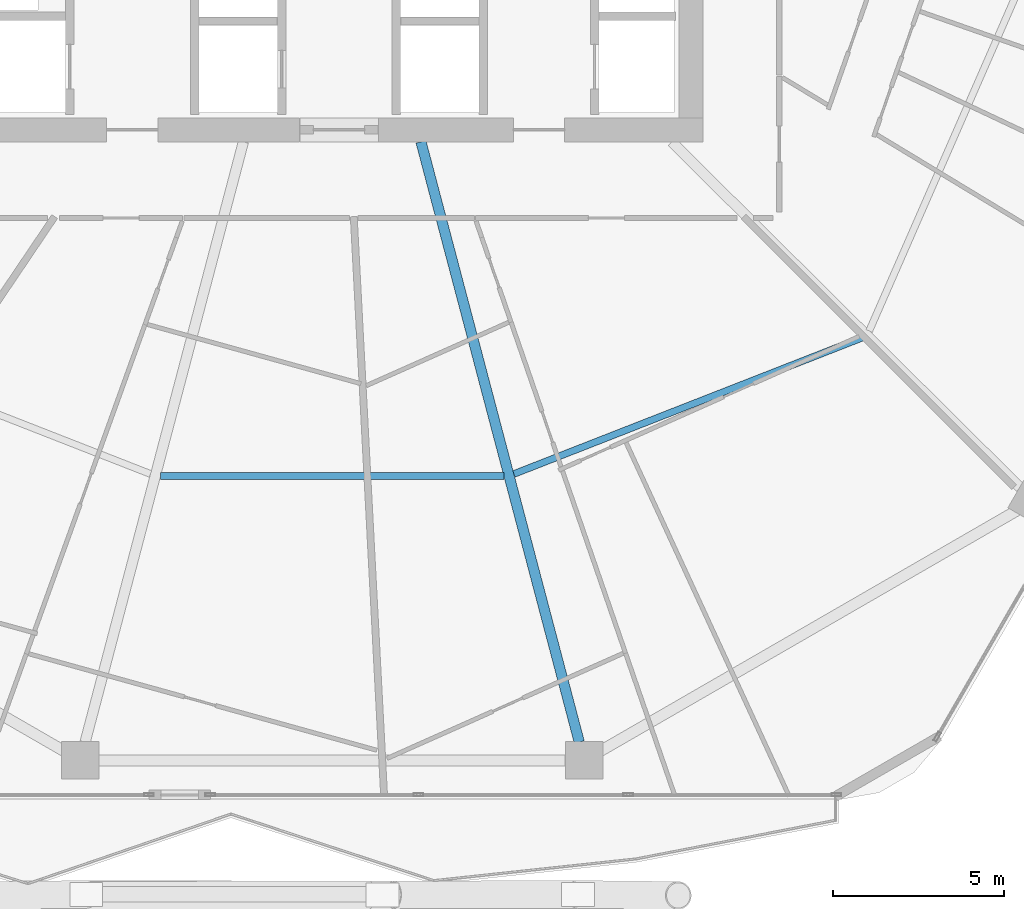
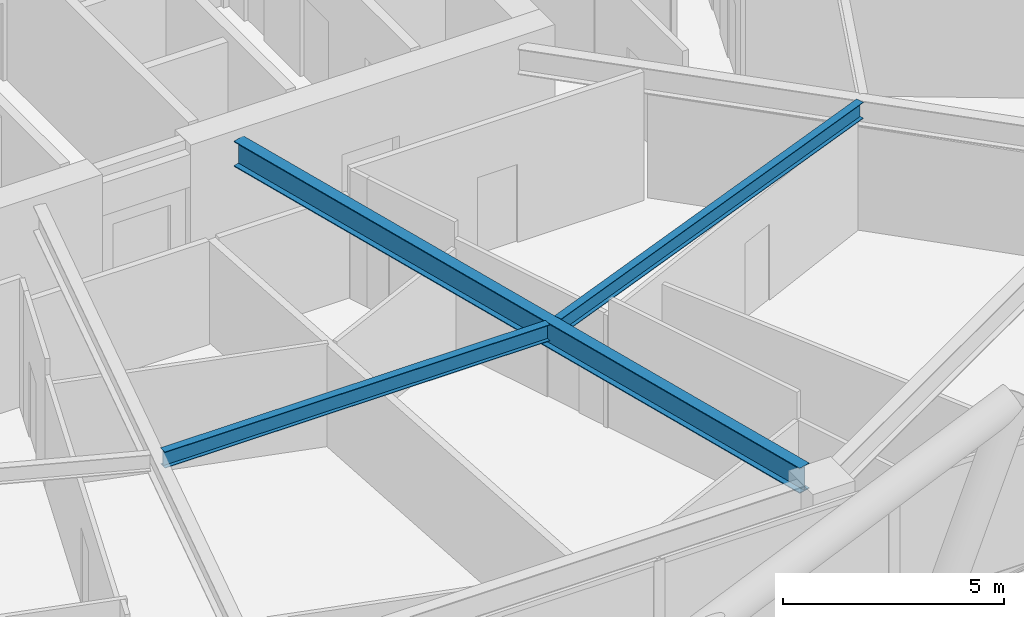
# One storey, part 8 of 35: 3 beams.
"""IFC4 building model written with IfcOpenShell, lengths in metres."""

from ifc_helpers import new_model, si_unit, direction, frame, origin, origin_2d, place, context, subcontext, project, spatial, i_section, extrude, material, material_profile, profile_set, type_object, element, save


model = new_model("IFC4")

# Units and contexts
model_context = context("Model", 3, precision=1e-05, world=origin(), true_north=direction((0.0, 1.0)))
body_context = subcontext(model_context, "Body", "Model", "MODEL_VIEW")
ifc_project = project(units=[si_unit("LENGTHUNIT", "METRE"), si_unit("AREAUNIT", "SQUARE_METRE"), si_unit("VOLUMEUNIT", "CUBIC_METRE"), si_unit("PLANEANGLEUNIT", "RADIAN"), si_unit("MASSUNIT", "GRAM", prefix="KILO")], contexts=[model_context])

# Site, building, storey
site_placement = place(None, origin())
site = spatial("IfcSite", under=ifc_project, at=site_placement, CompositionType="ELEMENT")
building_placement = place(site_placement, origin())
building = spatial("IfcBuilding", under=site, at=building_placement, Name="Zuhravey Tower", CompositionType="ELEMENT")
storey_placement = place(building_placement, frame((0.0, 0.0, 115.199951171875)))
storey = spatial("IfcBuildingStorey", under=building, at=storey_placement, Name="L28", CompositionType="ELEMENT", Elevation=115.199951171875)

# Beams
ifc_material = material(Name="Steel SM355", Category="steel")
ifc_material_profile_1 = material_profile(ifc_material, i_section(OverallWidth=0.300048828125, OverallDepth=0.699951171875, WebThickness=0.012939453125, FlangeThickness=0.02392578125, at=origin_2d()), Name="H-700x300x13x24")
ifc_profile_set_1 = profile_set([ifc_material_profile_1], Name="Steel SM355")
beam_type_1 = type_object("IfcBeamType", Name="Radial Primary Girder H700x300", PredefinedType="BEAM", material=ifc_profile_set_1)
beam_1_placement = place(storey_placement, frame((38.59814453125, 22.14697265625, 3.199951171875), z_axis=(0.25498755891, -0.966944333869, 0.0), x_axis=(0.966944333869, 0.25498755891, 0.0)))
element("IfcBeam", 1, at=beam_1_placement, inside=storey, type_object=beam_type_1, Name="L28 RG1 BM-L28-RAD-10", PredefinedType="BEAM", context=body_context, shape_type="SweptSolid", body=[
    extrude(i_section(OverallWidth=0.300048828125, OverallDepth=0.699951171875, WebThickness=0.012939453125, FlangeThickness=0.02392578125, at=origin_2d()), origin(), (0.0, 0.0, 1.0), 18.1611328125),
])
ifc_material_profile_2 = material_profile(ifc_material, i_section(OverallWidth=0.199951171875, OverallDepth=0.449951171875, WebThickness=0.009033203125, FlangeThickness=0.013916015625, at=origin_2d()), Name="H-450x200x9x14")
ifc_profile_set_2 = profile_set([ifc_material_profile_2], Name="Steel SM355")
beam_type_2 = type_object("IfcBeamType", Name="Secondary Floor Joist H450x200", PredefinedType="JOIST", material=ifc_profile_set_2)
beam_2_placement = place(storey_placement, frame((30.97900390625, 12.37548828125, 3.324951171875), z_axis=(1.0, 0.0, 0.0), x_axis=(0.0, 1.0, 0.0)))
element("IfcBeam", 2, at=beam_2_placement, inside=storey, type_object=beam_type_2, Name="L28 SJ1 BM-L28-SJ-09-1", PredefinedType="JOIST", context=body_context, shape_type="SweptSolid", body=[
    extrude(i_section(OverallWidth=0.199951171875, OverallDepth=0.449951171875, WebThickness=0.009033203125, FlangeThickness=0.013916015625, at=origin_2d()), origin(), (0.0, 0.0, 1.0), 10.0419921875),
])
beam_3_placement = place(storey_placement, frame((41.318359375, 12.431640625, 3.324951171875), z_axis=(0.931216764731, 0.364465824302, 0.0), x_axis=(-0.364465824302, 0.931216764731, 0.0)))
element("IfcBeam", 3, at=beam_3_placement, inside=storey, type_object=beam_type_2, Name="L28 SJ1 BM-L28-SJ-10-1", PredefinedType="JOIST", context=body_context, shape_type="SweptSolid", body=[
    extrude(i_section(OverallWidth=0.199951171875, OverallDepth=0.449951171875, WebThickness=0.009033203125, FlangeThickness=0.013916015625, at=origin_2d()), origin(), (0.0, 0.0, 1.0), 10.939453125),
])

save(model, "model.ifc")
